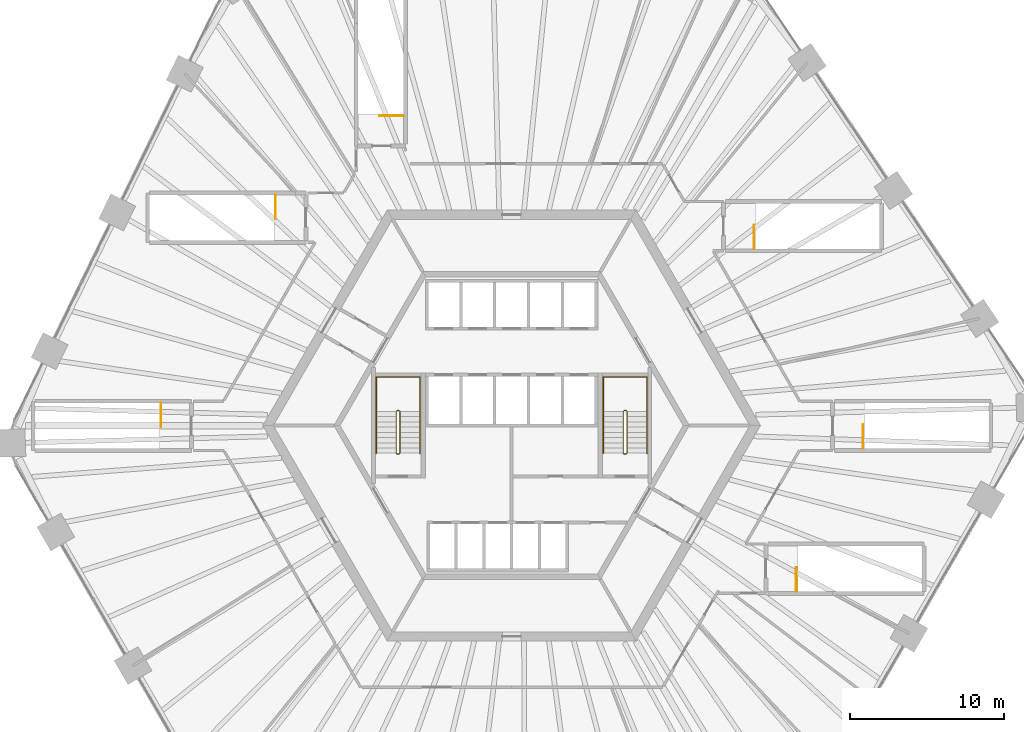
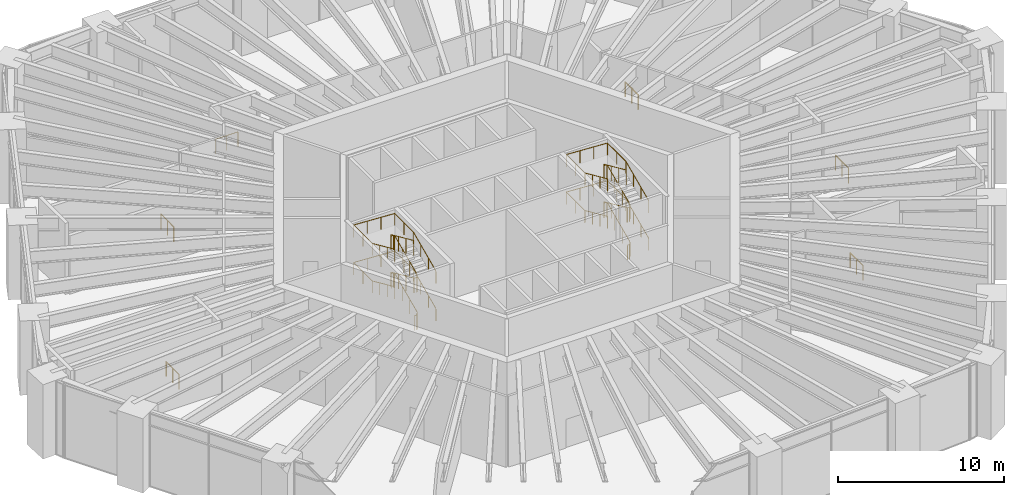
# One storey, part 25 of 25: 12 railings.
"""IFC4 building model written with IfcOpenShell, lengths in metres."""

import ifcopenshell
import ifcopenshell.guid

model = None  # the IFC model being written
_history = None  # IfcOwnerHistory: only IFC2X3 demands one
_inside = {}  # id of a spatial element -> (the spatial element, [elements in it])
_under = {}  # id of a project, library or spatial element -> (it, [spatial elements below it])
_declared = {}  # id of a project -> (the project, [libraries it declares])
_typed = {}  # id of a type object -> (the type object, [elements of that type])
_made_of = {}  # id of a material, layer set ... -> (it, [elements and type objects made of it])


def new_model(schema):
    """Start an empty IFC model of exactly this schema.

    Asked for "IFC4X3", IfcOpenShell would pick the latest addendum, in which some entities
    have other attributes; the version numbers below select the first issue.
    IFC2X3 requires an IfcOwnerHistory on every rooted entity: one is made here for all.
    """
    global model, _history
    if schema == "IFC4X3":
        model = ifcopenshell.file(schema_version=(4, 3, 0, 0))
    else:
        model = ifcopenshell.file(schema=schema)
    _inside.clear()
    _under.clear()
    _declared.clear()
    _typed.clear()
    _made_of.clear()
    _history = None
    if model.schema == "IFC2X3":
        org = make("IfcOrganization", Name="unknown")
        user = make(
            "IfcPersonAndOrganization",
            ThePerson=make("IfcPerson", FamilyName="unknown"),
            TheOrganization=org,
        )
        app = make(
            "IfcApplication",
            ApplicationDeveloper=org,
            Version="unknown",
            ApplicationFullName="unknown",
            ApplicationIdentifier="unknown",
        )
        _history = make(
            "IfcOwnerHistory",
            OwningUser=user,
            OwningApplication=app,
            ChangeAction="ADDED",
            CreationDate=0,
        )
    return model


def make(cls, **values):
    """One entity of the class cls with the attributes given. An attribute that is None is left unset."""
    return model.create_entity(
        cls, **{name: value for name, value in values.items() if value is not None}
    )


def rooted(cls, **values):
    """An entity with a GlobalId (a new one), such as an element, a storey or a relation."""
    return make(cls, GlobalId=ifcopenshell.guid.new(), OwnerHistory=_history, **values)


def si_unit(unit_type, name, prefix=None):
    """IfcSIUnit, for example si_unit("LENGTHUNIT", "METRE", prefix="MILLI")."""
    return make("IfcSIUnit", UnitType=unit_type, Prefix=prefix, Name=name)


def assignment(units):
    """IfcUnitAssignment: the units of a project."""
    return None if units is None else make("IfcUnitAssignment", Units=units)


def point(xyz):
    """IfcCartesianPoint."""
    return None if xyz is None else make("IfcCartesianPoint", Coordinates=xyz)


def direction(xyz):
    """IfcDirection."""
    return None if xyz is None else make("IfcDirection", DirectionRatios=xyz)


def frame(location, z_axis=None, x_axis=None):
    """IfcAxis2Placement3D, a coordinate frame: its origin and axes. An axis left out is left unset."""
    return make(
        "IfcAxis2Placement3D",
        Location=point(location),
        Axis=direction(z_axis),
        RefDirection=direction(x_axis),
    )


def frame_2d(location, x_axis=None):
    """IfcAxis2Placement2D, a coordinate frame in the plane: its origin and x axis."""
    return make(
        "IfcAxis2Placement2D", Location=point(location), RefDirection=direction(x_axis)
    )


def origin():
    """The frame at (0, 0, 0) with its axes left unset."""
    return frame((0.0, 0.0, 0.0))


def origin_2d():
    """The frame at (0, 0) in the plane with its x axis left unset."""
    return frame_2d((0.0, 0.0))


def place(relative_to, where):
    """IfcLocalPlacement: puts the frame where relative to a parent placement (None: the world)."""
    return make(
        "IfcLocalPlacement", PlacementRelTo=relative_to, RelativePlacement=where
    )


def context(
    kind, dimensions, precision=None, world=None, true_north=None, identifier=None
):
    """IfcGeometricRepresentationContext, for example the 3D "Model" context."""
    return make(
        "IfcGeometricRepresentationContext",
        ContextIdentifier=identifier,
        ContextType=kind,
        CoordinateSpaceDimension=dimensions,
        Precision=precision,
        WorldCoordinateSystem=world,
        TrueNorth=true_north,
    )


def subcontext(parent, identifier, kind, view, scale=None):
    """IfcGeometricRepresentationSubContext, for example "Body" below "Model"."""
    return make(
        "IfcGeometricRepresentationSubContext",
        ContextIdentifier=identifier,
        ContextType=kind,
        ParentContext=parent,
        TargetScale=scale,
        TargetView=view,
    )


def project(units=None, contexts=None):
    """IfcProject with its units and contexts."""
    return rooted(
        "IfcProject",
        Name="project",
        RepresentationContexts=contexts,
        UnitsInContext=assignment(units),
    )


def spatial(cls, under=None, at=None, **own):
    """A site, building, storey or space (cls), placed at a placement, below another one or the project."""
    s = rooted(cls, ObjectPlacement=at, **own)
    if under is not None:
        _under.setdefault(under.id(), (under, []))[1].append(s)
    return s


def profile(cls, at=None, kind="AREA", **sizes):
    """A parametric profile (cls). Its sizes go by their IFC names, for example OverallWidth=200.0."""
    return make(cls, ProfileType=kind, Position=at, **sizes)


def circle(**sizes):
    """IfcCircleProfileDef."""
    return profile("IfcCircleProfileDef", **sizes)


def extrude(swept, where, along, depth):
    """IfcExtrudedAreaSolid: the profile swept, set in the frame where, extruded along a direction by depth."""
    return make(
        "IfcExtrudedAreaSolid",
        SweptArea=swept,
        Position=where,
        ExtrudedDirection=direction(along),
        Depth=depth,
    )


def shape(context_of_items, identifier, shape_type, items):
    """IfcShapeRepresentation: the items that make up one representation, for example the "Body"."""
    return make(
        "IfcShapeRepresentation",
        ContextOfItems=context_of_items,
        RepresentationIdentifier=identifier,
        RepresentationType=shape_type,
        Items=items,
    )


def material(Name=None, Category=None):
    """IfcMaterial."""
    return make("IfcMaterial", Name=Name, Category=Category)


def made_of(thing, what):
    """Note that an element or type object is made of a material, layer set ...; save() writes the relation."""
    if what is not None:
        _made_of.setdefault(what.id(), (what, []))[1].append(thing)
    return thing


def type_object(cls, material=None, **own):
    """A type object (cls), such as IfcWallType, which elements share."""
    return made_of(rooted(cls, **own), material)


def element(
    cls,
    number,
    at=None,
    inside=None,
    cuts=None,
    type_object=None,
    material=None,
    context=None,
    identifier="Body",
    shape_type=None,
    held_by="IfcProductDefinitionShape",
    body=None,
    shapes=None,
    **own,
):
    """One element of the class cls, such as IfcWall. Its Tag is "e" and its number.

    at: its placement. inside: the storey or other place that contains it. cuts: it is an
    opening in that element (IfcRelVoidsElement). A single representation is given by context,
    identifier, shape_type and body (its items); several are given by shapes. held_by: the class
    of the entity that holds the representations. save() writes the other relations.
    """
    e = rooted(cls, Tag="e%d" % number, ObjectPlacement=at, **own)
    if body is not None:
        shapes = [shape(context, identifier, shape_type, body)]
    if shapes is not None:
        e.Representation = make(held_by, Representations=shapes)
    if inside is not None:
        _inside.setdefault(inside.id(), (inside, []))[1].append(e)
    if cuts is not None:
        rooted(
            "IfcRelVoidsElement", RelatingBuildingElement=cuts, RelatedOpeningElement=e
        )
    if type_object is not None:
        _typed.setdefault(type_object.id(), (type_object, []))[1].append(e)
    return made_of(e, material)


def aggregate(whole, parts):
    """IfcRelAggregates: a whole, such as a stair, and the parts it consists of."""
    return rooted("IfcRelAggregates", RelatingObject=whole, RelatedObjects=parts)


def save(model, path):
    """Write the relations noted so far, then the file.

    IfcRelAggregates (storeys below a building ...), IfcRelContainedInSpatialStructure (elements
    in a storey), IfcRelDefinesByType, IfcRelAssociatesMaterial and IfcRelDeclares: one each for
    every whole, place, type object, material and project.
    """
    for whole, parts in _under.values():
        aggregate(whole, parts)
    for where, things in _inside.values():
        rooted(
            "IfcRelContainedInSpatialStructure",
            RelatedElements=things,
            RelatingStructure=where,
        )
    for kind, things in _typed.values():
        rooted("IfcRelDefinesByType", RelatedObjects=things, RelatingType=kind)
    for what, things in _made_of.values():
        rooted("IfcRelAssociatesMaterial", RelatedObjects=things, RelatingMaterial=what)
    for by, libraries in _declared.values():
        rooted("IfcRelDeclares", RelatingContext=by, RelatedDefinitions=libraries)
    model.write(path)


model = new_model("IFC4")

# Units and contexts
model_context = context("Model", 3, precision=1e-05, world=origin(), true_north=direction((0.0, 1.0)))
body_context = subcontext(model_context, "Body", "Model", "MODEL_VIEW")
ifc_project = project(units=[si_unit("LENGTHUNIT", "METRE"), si_unit("AREAUNIT", "SQUARE_METRE"), si_unit("VOLUMEUNIT", "CUBIC_METRE"), si_unit("PLANEANGLEUNIT", "RADIAN"), si_unit("MASSUNIT", "GRAM", prefix="KILO")], contexts=[model_context])

# Site, building, storey
site_placement = place(None, origin())
site = spatial("IfcSite", under=ifc_project, at=site_placement, CompositionType="ELEMENT")
building_placement = place(site_placement, origin())
building = spatial("IfcBuilding", under=site, at=building_placement, Name="Tarnside Tower", CompositionType="ELEMENT")
storey_placement = place(building_placement, frame((0.0, 0.0, 26.0)))
storey = spatial("IfcBuildingStorey", under=building, at=storey_placement, Name="L04", CompositionType="ELEMENT", Elevation=26.0)

# Railings
ifc_material = material(Name="Stainless steel", Category="steel")
railing_type_1 = type_object("IfcRailingType", Name="Podium stair guard 1100", PredefinedType="GUARDRAIL", material=ifc_material)
railing_1_placement = place(storey_placement, frame((-7.0146484375, 20.1298828125, 0.0)))
element("IfcRailing", 1, at=railing_1_placement, inside=storey, type_object=railing_type_1, Name="L04 PS1 top well guard 1", PredefinedType="GUARDRAIL", context=body_context, shape_type="SweptSolid", body=[
    extrude(circle(Radius=0.02392578125, at=origin_2d()), frame((0.0, 0.0, 1.076171875), z_axis=(-1.0, 0.0, 0.0), x_axis=(0.0, -1.0, 0.0)), (0.0, 0.0, 1.0), 1.550048828125),
    extrude(circle(Radius=0.02099609375, at=origin_2d()), origin(), (0.0, 0.0, 1.0), 1.052001953125),
    extrude(circle(Radius=0.02099609375, at=origin_2d()), frame((-0.77490234375, 0.0, 0.0)), (0.0, 0.0, 1.0), 1.052001953125),
    extrude(circle(Radius=0.02099609375, at=origin_2d()), frame((-1.550048828125, 0.0, 0.0)), (0.0, 0.0, 1.0), 1.052001953125),
])
railing_2_placement = place(storey_placement, frame((-22.780029296875, 1.449951171875, 0.0)))
element("IfcRailing", 2, at=railing_2_placement, inside=storey, type_object=railing_type_1, Name="L04 PS2 top well guard 1", PredefinedType="GUARDRAIL", context=body_context, shape_type="SweptSolid", body=[
    extrude(circle(Radius=0.02392578125, at=origin_2d()), frame((0.0, 0.0, 1.076171875), z_axis=(0.0, -1.0, 0.0), x_axis=(1.0, 0.0, 0.0)), (0.0, 0.0, 1.0), 1.550048828125),
    extrude(circle(Radius=0.02099609375, at=origin_2d()), origin(), (0.0, 0.0, 1.0), 1.052001953125),
    extrude(circle(Radius=0.02099609375, at=origin_2d()), frame((0.0, -0.77490234375, 0.0)), (0.0, 0.0, 1.0), 1.052001953125),
    extrude(circle(Radius=0.02099609375, at=origin_2d()), frame((0.0, -1.550048828125, 0.0)), (0.0, 0.0, 1.0), 1.052001953125),
])
railing_3_placement = place(storey_placement, frame((22.830078125, -1.5, 0.0)))
element("IfcRailing", 3, at=railing_3_placement, inside=storey, type_object=railing_type_1, Name="L04 PS3 top well guard 1", PredefinedType="GUARDRAIL", context=body_context, shape_type="SweptSolid", body=[
    extrude(circle(Radius=0.02392578125, at=origin_2d()), frame((0.0, 0.0, 1.076171875), z_axis=(0.0, 1.0, 0.0), x_axis=(-1.0, 0.0, 0.0)), (0.0, 0.0, 1.0), 1.550048828125),
    extrude(circle(Radius=0.02099609375, at=origin_2d()), origin(), (0.0, 0.0, 1.0), 1.052001953125),
    extrude(circle(Radius=0.02099609375, at=origin_2d()), frame((0.0, 0.77490234375, 0.0)), (0.0, 0.0, 1.0), 1.052001953125),
    extrude(circle(Radius=0.02099609375, at=origin_2d()), frame((0.0, 1.550048828125, 0.0)), (0.0, 0.0, 1.0), 1.052001953125),
])
for number, where, name in (
    (4, (15.739990234375, 11.47509765625, 0.0), "L04 PS4 top well guard 1"),
    (5, (18.489990234375, -10.77490234375, 0.0), "L04 PS5 top well guard 1"),
):
    element("IfcRailing", number, at=place(storey_placement, frame(where)), inside=storey, type_object=railing_type_1, Name=name, PredefinedType="GUARDRAIL", context=body_context, shape_type="SweptSolid", body=[
        extrude(circle(Radius=0.02392578125, at=origin_2d()), frame((0.0, 0.0, 1.076171875), z_axis=(0.0, 1.0, 0.0), x_axis=(-1.0, 0.0, 0.0)), (0.0, 0.0, 1.0), 1.5498046875),
        extrude(circle(Radius=0.02099609375, at=origin_2d()), origin(), (0.0, 0.0, 1.0), 1.052001953125),
        extrude(circle(Radius=0.02099609375, at=origin_2d()), frame((0.0, 0.77490234375, 0.0)), (0.0, 0.0, 1.0), 1.052001953125),
        extrude(circle(Radius=0.02099609375, at=origin_2d()), frame((0.0, 1.5498046875, 0.0)), (0.0, 0.0, 1.0), 1.052001953125),
    ])
railing_4_placement = place(storey_placement, frame((-15.340087890625, 14.97509765625, 0.0)))
element("IfcRailing", 6, at=railing_4_placement, inside=storey, type_object=railing_type_1, Name="L04 PS6 top well guard 1", PredefinedType="GUARDRAIL", context=body_context, shape_type="SweptSolid", body=[
    extrude(circle(Radius=0.02392578125, at=origin_2d()), frame((0.0, 0.0, 1.076171875), z_axis=(0.0, -1.0, 0.0), x_axis=(1.0, 0.0, 0.0)), (0.0, 0.0, 1.0), 1.550048828125),
    extrude(circle(Radius=0.02099609375, at=origin_2d()), origin(), (0.0, 0.0, 1.0), 1.052001953125),
    extrude(circle(Radius=0.02099609375, at=origin_2d()), frame((0.0, -0.77490234375, 0.0)), (0.0, 0.0, 1.0), 1.052001953125),
    extrude(circle(Radius=0.02099609375, at=origin_2d()), frame((0.0, -1.550048828125, 0.0)), (0.0, 0.0, 1.0), 1.052001953125),
])
railing_type_2 = type_object("IfcRailingType", Name="Stair guard 1100", PredefinedType="GUARDRAIL", material=ifc_material)
railing_5_placement = place(storey_placement, frame((7.300048828125, -1.85009765625, 0.0)))
element("IfcRailing", 7, at=railing_5_placement, inside=storey, type_object=railing_type_2, Name="L04 ST1 stair guard 1", PredefinedType="GUARDRAIL", context=body_context, shape_type="SweptSolid", body=[
    extrude(circle(Radius=0.02392578125, at=origin_2d()), frame((0.0, 0.0, 1.076171875), z_axis=(1.0, 0.0, 0.0), x_axis=(0.0, 1.0, 0.0)), (0.0, 0.0, 1.0), 0.14990234375),
    extrude(circle(Radius=0.02392578125, at=origin_2d()), frame((0.14990234375, 0.0, 1.076171875), z_axis=(0.297155754911, 0.297155754911, 0.90741220768), x_axis=(-0.707106781187, 0.707106781187, 0.0)), (0.0, 0.0, 1.0), 0.16845703125),
    extrude(circle(Radius=0.02392578125, at=origin_2d()), frame((0.199951171875, 0.050048828125, 1.22900390625), z_axis=(0.0, 0.912149621895, 0.409857374312), x_axis=(-1.0, 0.0, 0.0)), (0.0, 0.0, 1.0), 2.98193359375),
    extrude(circle(Radius=0.02392578125, at=origin_2d()), frame((0.199951171875, 2.77001953125, 2.451171875), z_axis=(-0.707106781187, 0.707106781187, 0.0), x_axis=(-0.707106781187, -0.707106781187, 0.0)), (0.0, 0.0, 1.0), 0.07080078125),
    extrude(circle(Radius=0.02392578125, at=origin_2d()), frame((0.14990234375, 2.820068359375, 2.451171875), z_axis=(-1.0, 0.0, 0.0), x_axis=(0.0, -1.0, 0.0)), (0.0, 0.0, 1.0), 0.14990234375),
    extrude(circle(Radius=0.02392578125, at=origin_2d()), frame((0.0, 2.820068359375, 2.451171875), z_axis=(-0.297155754911, -0.297155754911, 0.90741220768), x_axis=(0.707106781187, -0.707106781187, 0.0)), (0.0, 0.0, 1.0), 0.16845703125),
    extrude(circle(Radius=0.02392578125, at=origin_2d()), frame((-0.050048828125, 2.77001953125, 2.60400390625), z_axis=(0.0, -0.912149621895, 0.409857374312), x_axis=(1.0, 0.0, 0.0)), (0.0, 0.0, 1.0), 2.98193359375),
    extrude(circle(Radius=0.02392578125, at=origin_2d()), frame((-0.050048828125, 0.050048828125, 3.826171875), z_axis=(0.707106781187, -0.707106781187, 0.0), x_axis=(0.707106781187, 0.707106781187, 0.0)), (0.0, 0.0, 1.0), 0.07080078125),
    extrude(circle(Radius=0.02392578125, at=origin_2d()), frame((0.0, 0.0, 3.826171875), z_axis=(1.0, 0.0, 0.0), x_axis=(0.0, 1.0, 0.0)), (0.0, 0.0, 1.0), 0.14990234375),
    extrude(circle(Radius=0.02392578125, at=origin_2d()), frame((0.14990234375, 0.0, 3.826171875), z_axis=(0.297155754911, 0.297155754911, 0.90741220768), x_axis=(-0.707106781187, 0.707106781187, 0.0)), (0.0, 0.0, 1.0), 0.16845703125),
    extrude(circle(Radius=0.02392578125, at=origin_2d()), frame((0.199951171875, 0.050048828125, 3.97900390625), z_axis=(0.0, 0.912149621895, 0.409857374312), x_axis=(-1.0, 0.0, 0.0)), (0.0, 0.0, 1.0), 2.98193359375),
    extrude(circle(Radius=0.02392578125, at=origin_2d()), frame((0.199951171875, 2.77001953125, 5.201171875), z_axis=(-0.707106781187, 0.707106781187, 0.0), x_axis=(-0.707106781187, -0.707106781187, 0.0)), (0.0, 0.0, 1.0), 0.07080078125),
    extrude(circle(Radius=0.02392578125, at=origin_2d()), frame((0.14990234375, 2.820068359375, 5.201171875), z_axis=(-1.0, 0.0, 0.0), x_axis=(0.0, -1.0, 0.0)), (0.0, 0.0, 1.0), 0.14990234375),
    extrude(circle(Radius=0.02392578125, at=origin_2d()), frame((0.0, 2.820068359375, 5.201171875), z_axis=(-0.297155754911, -0.297155754911, 0.90741220768), x_axis=(0.707106781187, -0.707106781187, 0.0)), (0.0, 0.0, 1.0), 0.16845703125),
    extrude(circle(Radius=0.02392578125, at=origin_2d()), frame((-0.050048828125, 2.77001953125, 5.35400390625), z_axis=(0.0, -0.912149621895, 0.409857374312), x_axis=(1.0, 0.0, 0.0)), (0.0, 0.0, 1.0), 2.98193359375),
    extrude(circle(Radius=0.02099609375, at=origin_2d()), origin(), (0.0, 0.0, 1.0), 1.052001953125),
    extrude(circle(Radius=0.02099609375, at=origin_2d()), frame((0.14990234375, 0.0, 0.0)), (0.0, 0.0, 1.0), 1.052001953125),
    extrude(circle(Radius=0.02099609375, at=origin_2d()), frame((0.199951171875, 0.050048828125, 0.15283203125)), (0.0, 0.0, 1.0), 1.052001953125),
    extrude(circle(Radius=0.02099609375, at=origin_2d()), frame((0.199951171875, 0.956787109375, 0.560302734375)), (0.0, 0.0, 1.0), 1.052001953125),
    extrude(circle(Radius=0.02099609375, at=origin_2d()), frame((0.199951171875, 1.86328125, 0.967529296875)), (0.0, 0.0, 1.0), 1.052001953125),
    extrude(circle(Radius=0.02099609375, at=origin_2d()), frame((0.199951171875, 2.77001953125, 1.375)), (0.0, 0.0, 1.0), 1.052001953125),
    extrude(circle(Radius=0.02099609375, at=origin_2d()), frame((0.14990234375, 2.820068359375, 1.375)), (0.0, 0.0, 1.0), 1.052001953125),
    extrude(circle(Radius=0.02099609375, at=origin_2d()), frame((0.0, 2.820068359375, 1.375)), (0.0, 0.0, 1.0), 1.052001953125),
    extrude(circle(Radius=0.02099609375, at=origin_2d()), frame((-0.050048828125, 2.77001953125, 1.52783203125)), (0.0, 0.0, 1.0), 1.052001953125),
    extrude(circle(Radius=0.02099609375, at=origin_2d()), frame((-0.050048828125, 1.86328125, 1.935302734375)), (0.0, 0.0, 1.0), 1.052001953125),
    extrude(circle(Radius=0.02099609375, at=origin_2d()), frame((-0.050048828125, 0.956787109375, 2.342529296875)), (0.0, 0.0, 1.0), 1.052001953125),
    extrude(circle(Radius=0.02099609375, at=origin_2d()), frame((-0.050048828125, 0.050048828125, 2.75)), (0.0, 0.0, 1.0), 1.052001953125),
    extrude(circle(Radius=0.02099609375, at=origin_2d()), frame((0.0, 0.0, 2.75)), (0.0, 0.0, 1.0), 1.052001953125),
    extrude(circle(Radius=0.02099609375, at=origin_2d()), frame((0.14990234375, 0.0, 2.75)), (0.0, 0.0, 1.0), 1.052001953125),
    extrude(circle(Radius=0.02099609375, at=origin_2d()), frame((0.199951171875, 0.050048828125, 2.90283203125)), (0.0, 0.0, 1.0), 1.052001953125),
    extrude(circle(Radius=0.02099609375, at=origin_2d()), frame((0.199951171875, 0.956787109375, 3.310302734375)), (0.0, 0.0, 1.0), 1.052001953125),
    extrude(circle(Radius=0.02099609375, at=origin_2d()), frame((0.199951171875, 1.86328125, 3.717529296875)), (0.0, 0.0, 1.0), 1.052001953125),
    extrude(circle(Radius=0.02099609375, at=origin_2d()), frame((0.199951171875, 2.77001953125, 4.125)), (0.0, 0.0, 1.0), 1.052001953125),
    extrude(circle(Radius=0.02099609375, at=origin_2d()), frame((0.14990234375, 2.820068359375, 4.125)), (0.0, 0.0, 1.0), 1.052001953125),
    extrude(circle(Radius=0.02099609375, at=origin_2d()), frame((0.0, 2.820068359375, 4.125)), (0.0, 0.0, 1.0), 1.052001953125),
    extrude(circle(Radius=0.02099609375, at=origin_2d()), frame((-0.050048828125, 2.77001953125, 4.27783203125)), (0.0, 0.0, 1.0), 1.052001953125),
    extrude(circle(Radius=0.02099609375, at=origin_2d()), frame((-0.050048828125, 1.86328125, 4.685302734375)), (0.0, 0.0, 1.0), 1.052001953125),
    extrude(circle(Radius=0.02099609375, at=origin_2d()), frame((-0.050048828125, 0.956787109375, 5.092529296875)), (0.0, 0.0, 1.0), 1.052001953125),
    extrude(circle(Radius=0.02099609375, at=origin_2d()), frame((-0.050048828125, 0.050048828125, 5.5)), (0.0, 0.0, 1.0), 1.052001953125),
])
railing_6_placement = place(storey_placement, frame((-7.449951171875, -1.85009765625, 0.0)))
element("IfcRailing", 8, at=railing_6_placement, inside=storey, type_object=railing_type_2, Name="L04 ST2 stair guard 1", PredefinedType="GUARDRAIL", context=body_context, shape_type="SweptSolid", body=[
    extrude(circle(Radius=0.02392578125, at=origin_2d()), frame((0.0, 0.0, 1.076171875), z_axis=(1.0, 0.0, 0.0), x_axis=(0.0, 1.0, 0.0)), (0.0, 0.0, 1.0), 0.14990234375),
    extrude(circle(Radius=0.02392578125, at=origin_2d()), frame((0.14990234375, 0.0, 1.076171875), z_axis=(0.297155754911, 0.297155754911, 0.90741220768), x_axis=(-0.707106781187, 0.707106781187, 0.0)), (0.0, 0.0, 1.0), 0.16845703125),
    extrude(circle(Radius=0.02392578125, at=origin_2d()), frame((0.199951171875, 0.050048828125, 1.22900390625), z_axis=(0.0, 0.912149621895, 0.409857374312), x_axis=(-1.0, 0.0, 0.0)), (0.0, 0.0, 1.0), 2.98193359375),
    extrude(circle(Radius=0.02392578125, at=origin_2d()), frame((0.199951171875, 2.77001953125, 2.451171875), z_axis=(-0.707106781187, 0.707106781187, 0.0), x_axis=(-0.707106781187, -0.707106781187, 0.0)), (0.0, 0.0, 1.0), 0.07080078125),
    extrude(circle(Radius=0.02392578125, at=origin_2d()), frame((0.14990234375, 2.820068359375, 2.451171875), z_axis=(-1.0, 0.0, 0.0), x_axis=(0.0, -1.0, 0.0)), (0.0, 0.0, 1.0), 0.14990234375),
    extrude(circle(Radius=0.02392578125, at=origin_2d()), frame((0.0, 2.820068359375, 2.451171875), z_axis=(-0.297155754911, -0.297155754911, 0.90741220768), x_axis=(0.707106781187, -0.707106781187, 0.0)), (0.0, 0.0, 1.0), 0.16845703125),
    extrude(circle(Radius=0.02392578125, at=origin_2d()), frame((-0.050048828125, 2.77001953125, 2.60400390625), z_axis=(0.0, -0.912149621895, 0.409857374312), x_axis=(1.0, 0.0, 0.0)), (0.0, 0.0, 1.0), 2.98193359375),
    extrude(circle(Radius=0.02392578125, at=origin_2d()), frame((-0.050048828125, 0.050048828125, 3.826171875), z_axis=(0.707106781187, -0.707106781187, 0.0), x_axis=(0.707106781187, 0.707106781187, 0.0)), (0.0, 0.0, 1.0), 0.07080078125),
    extrude(circle(Radius=0.02392578125, at=origin_2d()), frame((0.0, 0.0, 3.826171875), z_axis=(1.0, 0.0, 0.0), x_axis=(0.0, 1.0, 0.0)), (0.0, 0.0, 1.0), 0.14990234375),
    extrude(circle(Radius=0.02392578125, at=origin_2d()), frame((0.14990234375, 0.0, 3.826171875), z_axis=(0.297155754911, 0.297155754911, 0.90741220768), x_axis=(-0.707106781187, 0.707106781187, 0.0)), (0.0, 0.0, 1.0), 0.16845703125),
    extrude(circle(Radius=0.02392578125, at=origin_2d()), frame((0.199951171875, 0.050048828125, 3.97900390625), z_axis=(0.0, 0.912149621895, 0.409857374312), x_axis=(-1.0, 0.0, 0.0)), (0.0, 0.0, 1.0), 2.98193359375),
    extrude(circle(Radius=0.02392578125, at=origin_2d()), frame((0.199951171875, 2.77001953125, 5.201171875), z_axis=(-0.707106781187, 0.707106781187, 0.0), x_axis=(-0.707106781187, -0.707106781187, 0.0)), (0.0, 0.0, 1.0), 0.07080078125),
    extrude(circle(Radius=0.02392578125, at=origin_2d()), frame((0.14990234375, 2.820068359375, 5.201171875), z_axis=(-1.0, 0.0, 0.0), x_axis=(0.0, -1.0, 0.0)), (0.0, 0.0, 1.0), 0.14990234375),
    extrude(circle(Radius=0.02392578125, at=origin_2d()), frame((0.0, 2.820068359375, 5.201171875), z_axis=(-0.297155754911, -0.297155754911, 0.90741220768), x_axis=(0.707106781187, -0.707106781187, 0.0)), (0.0, 0.0, 1.0), 0.16845703125),
    extrude(circle(Radius=0.02392578125, at=origin_2d()), frame((-0.050048828125, 2.77001953125, 5.35400390625), z_axis=(0.0, -0.912149621895, 0.409857374312), x_axis=(1.0, 0.0, 0.0)), (0.0, 0.0, 1.0), 2.98193359375),
    extrude(circle(Radius=0.02099609375, at=origin_2d()), origin(), (0.0, 0.0, 1.0), 1.052001953125),
    extrude(circle(Radius=0.02099609375, at=origin_2d()), frame((0.14990234375, 0.0, 0.0)), (0.0, 0.0, 1.0), 1.052001953125),
    extrude(circle(Radius=0.02099609375, at=origin_2d()), frame((0.199951171875, 0.050048828125, 0.15283203125)), (0.0, 0.0, 1.0), 1.052001953125),
    extrude(circle(Radius=0.02099609375, at=origin_2d()), frame((0.199951171875, 0.956787109375, 0.560302734375)), (0.0, 0.0, 1.0), 1.052001953125),
    extrude(circle(Radius=0.02099609375, at=origin_2d()), frame((0.199951171875, 1.86328125, 0.967529296875)), (0.0, 0.0, 1.0), 1.052001953125),
    extrude(circle(Radius=0.02099609375, at=origin_2d()), frame((0.199951171875, 2.77001953125, 1.375)), (0.0, 0.0, 1.0), 1.052001953125),
    extrude(circle(Radius=0.02099609375, at=origin_2d()), frame((0.14990234375, 2.820068359375, 1.375)), (0.0, 0.0, 1.0), 1.052001953125),
    extrude(circle(Radius=0.02099609375, at=origin_2d()), frame((0.0, 2.820068359375, 1.375)), (0.0, 0.0, 1.0), 1.052001953125),
    extrude(circle(Radius=0.02099609375, at=origin_2d()), frame((-0.050048828125, 2.77001953125, 1.52783203125)), (0.0, 0.0, 1.0), 1.052001953125),
    extrude(circle(Radius=0.02099609375, at=origin_2d()), frame((-0.050048828125, 1.86328125, 1.935302734375)), (0.0, 0.0, 1.0), 1.052001953125),
    extrude(circle(Radius=0.02099609375, at=origin_2d()), frame((-0.050048828125, 0.956787109375, 2.342529296875)), (0.0, 0.0, 1.0), 1.052001953125),
    extrude(circle(Radius=0.02099609375, at=origin_2d()), frame((-0.050048828125, 0.050048828125, 2.75)), (0.0, 0.0, 1.0), 1.052001953125),
    extrude(circle(Radius=0.02099609375, at=origin_2d()), frame((0.0, 0.0, 2.75)), (0.0, 0.0, 1.0), 1.052001953125),
    extrude(circle(Radius=0.02099609375, at=origin_2d()), frame((0.14990234375, 0.0, 2.75)), (0.0, 0.0, 1.0), 1.052001953125),
    extrude(circle(Radius=0.02099609375, at=origin_2d()), frame((0.199951171875, 0.050048828125, 2.90283203125)), (0.0, 0.0, 1.0), 1.052001953125),
    extrude(circle(Radius=0.02099609375, at=origin_2d()), frame((0.199951171875, 0.956787109375, 3.310302734375)), (0.0, 0.0, 1.0), 1.052001953125),
    extrude(circle(Radius=0.02099609375, at=origin_2d()), frame((0.199951171875, 1.86328125, 3.717529296875)), (0.0, 0.0, 1.0), 1.052001953125),
    extrude(circle(Radius=0.02099609375, at=origin_2d()), frame((0.199951171875, 2.77001953125, 4.125)), (0.0, 0.0, 1.0), 1.052001953125),
    extrude(circle(Radius=0.02099609375, at=origin_2d()), frame((0.14990234375, 2.820068359375, 4.125)), (0.0, 0.0, 1.0), 1.052001953125),
    extrude(circle(Radius=0.02099609375, at=origin_2d()), frame((0.0, 2.820068359375, 4.125)), (0.0, 0.0, 1.0), 1.052001953125),
    extrude(circle(Radius=0.02099609375, at=origin_2d()), frame((-0.050048828125, 2.77001953125, 4.27783203125)), (0.0, 0.0, 1.0), 1.052001953125),
    extrude(circle(Radius=0.02099609375, at=origin_2d()), frame((-0.050048828125, 1.86328125, 4.685302734375)), (0.0, 0.0, 1.0), 1.052001953125),
    extrude(circle(Radius=0.02099609375, at=origin_2d()), frame((-0.050048828125, 0.956787109375, 5.092529296875)), (0.0, 0.0, 1.0), 1.052001953125),
    extrude(circle(Radius=0.02099609375, at=origin_2d()), frame((-0.050048828125, 0.050048828125, 5.5)), (0.0, 0.0, 1.0), 1.052001953125),
])
railing_type_3 = type_object("IfcRailingType", Name="Stair handrail 900", PredefinedType="HANDRAIL", material=ifc_material)
railing_7_placement = place(storey_placement, frame((8.800048828125, -1.800048828125, 0.15283203125)))
element("IfcRailing", 9, at=railing_7_placement, inside=storey, type_object=railing_type_3, Name="L04 ST1 stair handrail 1", PredefinedType="HANDRAIL", context=body_context, shape_type="SweptSolid", body=[
    extrude(circle(Radius=0.02392578125, at=origin_2d()), frame((0.0, 0.0, 0.8857421875), z_axis=(0.0, 0.912149621895, 0.409857374312), x_axis=(-1.0, 0.0, 0.0)), (0.0, 0.0, 1.0), 2.98193359375),
    extrude(circle(Radius=0.02392578125, at=origin_2d()), frame((0.0, 2.719970703125, 2.10791015625), z_axis=(0.0, 1.0, 0.0), x_axis=(-1.0, 0.0, 0.0)), (0.0, 0.0, 1.0), 2.22998046875),
    extrude(circle(Radius=0.02392578125, at=origin_2d()), frame((0.0, 4.949951171875, 2.10791015625), z_axis=(-0.998565356737, 0.0, 0.053546506195), x_axis=(0.0, -1.0, 0.0)), (0.0, 0.0, 1.0), 2.854248046875),
    extrude(circle(Radius=0.02392578125, at=origin_2d()), frame((-2.85009765625, 4.949951171875, 2.2607421875), z_axis=(0.0, -1.0, 0.0), x_axis=(1.0, 0.0, 0.0)), (0.0, 0.0, 1.0), 2.22998046875),
    extrude(circle(Radius=0.02392578125, at=origin_2d()), frame((-2.85009765625, 2.719970703125, 2.2607421875), z_axis=(0.0, -0.912149621895, 0.409857374312), x_axis=(1.0, 0.0, 0.0)), (0.0, 0.0, 1.0), 2.98193359375),
    extrude(circle(Radius=0.02099609375, at=origin_2d()), origin(), (0.0, 0.0, 1.0), 0.86181640625),
    extrude(circle(Radius=0.02099609375, at=origin_2d()), frame((0.0, 0.90673828125, 0.407470703125)), (0.0, 0.0, 1.0), 0.86181640625),
    extrude(circle(Radius=0.02099609375, at=origin_2d()), frame((0.0, 1.813232421875, 0.814697265625)), (0.0, 0.0, 1.0), 0.86181640625),
    extrude(circle(Radius=0.02099609375, at=origin_2d()), frame((0.0, 2.719970703125, 1.22216796875)), (0.0, 0.0, 1.0), 0.86181640625),
    extrude(circle(Radius=0.02099609375, at=origin_2d()), frame((0.0, 3.8349609375, 1.22216796875)), (0.0, 0.0, 1.0), 0.86181640625),
    extrude(circle(Radius=0.02099609375, at=origin_2d()), frame((0.0, 4.949951171875, 1.22216796875)), (0.0, 0.0, 1.0), 0.86181640625),
    extrude(circle(Radius=0.02099609375, at=origin_2d()), frame((-0.949951171875, 4.949951171875, 1.273193359375)), (0.0, 0.0, 1.0), 0.86181640625),
    extrude(circle(Radius=0.02099609375, at=origin_2d()), frame((-1.900146484375, 4.949951171875, 1.323974609375)), (0.0, 0.0, 1.0), 0.86181640625),
    extrude(circle(Radius=0.02099609375, at=origin_2d()), frame((-2.85009765625, 4.949951171875, 1.375)), (0.0, 0.0, 1.0), 0.86181640625),
    extrude(circle(Radius=0.02099609375, at=origin_2d()), frame((-2.85009765625, 3.8349609375, 1.375)), (0.0, 0.0, 1.0), 0.86181640625),
    extrude(circle(Radius=0.02099609375, at=origin_2d()), frame((-2.85009765625, 2.719970703125, 1.375)), (0.0, 0.0, 1.0), 0.86181640625),
    extrude(circle(Radius=0.02099609375, at=origin_2d()), frame((-2.85009765625, 1.813232421875, 1.782470703125)), (0.0, 0.0, 1.0), 0.86181640625),
    extrude(circle(Radius=0.02099609375, at=origin_2d()), frame((-2.85009765625, 0.90673828125, 2.189697265625)), (0.0, 0.0, 1.0), 0.86181640625),
    extrude(circle(Radius=0.02099609375, at=origin_2d()), frame((-2.85009765625, 0.0, 2.59716796875)), (0.0, 0.0, 1.0), 0.86181640625),
])
railing_8_placement = place(storey_placement, frame((8.800048828125, -1.800048828125, 2.90283203125)))
element("IfcRailing", 10, at=railing_8_placement, inside=storey, type_object=railing_type_3, Name="L04 ST1 stair handrail 2", PredefinedType="HANDRAIL", context=body_context, shape_type="SweptSolid", body=[
    extrude(circle(Radius=0.02392578125, at=origin_2d()), frame((0.0, 0.0, 0.8857421875), z_axis=(0.0, 0.912149621895, 0.409857374312), x_axis=(-1.0, 0.0, 0.0)), (0.0, 0.0, 1.0), 2.98193359375),
    extrude(circle(Radius=0.02392578125, at=origin_2d()), frame((0.0, 2.719970703125, 2.10791015625), z_axis=(0.0, 1.0, 0.0), x_axis=(-1.0, 0.0, 0.0)), (0.0, 0.0, 1.0), 2.22998046875),
    extrude(circle(Radius=0.02392578125, at=origin_2d()), frame((0.0, 4.949951171875, 2.10791015625), z_axis=(-0.998565356737, 0.0, 0.053546506195), x_axis=(0.0, -1.0, 0.0)), (0.0, 0.0, 1.0), 2.854248046875),
    extrude(circle(Radius=0.02392578125, at=origin_2d()), frame((-2.85009765625, 4.949951171875, 2.2607421875), z_axis=(0.0, -1.0, 0.0), x_axis=(1.0, 0.0, 0.0)), (0.0, 0.0, 1.0), 2.22998046875),
    extrude(circle(Radius=0.02392578125, at=origin_2d()), frame((-2.85009765625, 2.719970703125, 2.2607421875), z_axis=(0.0, -0.912149621895, 0.409857374312), x_axis=(1.0, 0.0, 0.0)), (0.0, 0.0, 1.0), 2.98193359375),
    extrude(circle(Radius=0.02099609375, at=origin_2d()), origin(), (0.0, 0.0, 1.0), 0.86181640625),
    extrude(circle(Radius=0.02099609375, at=origin_2d()), frame((0.0, 0.90673828125, 0.407470703125)), (0.0, 0.0, 1.0), 0.86181640625),
    extrude(circle(Radius=0.02099609375, at=origin_2d()), frame((0.0, 1.813232421875, 0.814697265625)), (0.0, 0.0, 1.0), 0.86181640625),
    extrude(circle(Radius=0.02099609375, at=origin_2d()), frame((0.0, 2.719970703125, 1.22216796875)), (0.0, 0.0, 1.0), 0.86181640625),
    extrude(circle(Radius=0.02099609375, at=origin_2d()), frame((0.0, 3.8349609375, 1.22216796875)), (0.0, 0.0, 1.0), 0.86181640625),
    extrude(circle(Radius=0.02099609375, at=origin_2d()), frame((0.0, 4.949951171875, 1.22216796875)), (0.0, 0.0, 1.0), 0.86181640625),
    extrude(circle(Radius=0.02099609375, at=origin_2d()), frame((-0.949951171875, 4.949951171875, 1.273193359375)), (0.0, 0.0, 1.0), 0.86181640625),
    extrude(circle(Radius=0.02099609375, at=origin_2d()), frame((-1.900146484375, 4.949951171875, 1.323974609375)), (0.0, 0.0, 1.0), 0.86181640625),
    extrude(circle(Radius=0.02099609375, at=origin_2d()), frame((-2.85009765625, 4.949951171875, 1.375)), (0.0, 0.0, 1.0), 0.86181640625),
    extrude(circle(Radius=0.02099609375, at=origin_2d()), frame((-2.85009765625, 3.8349609375, 1.375)), (0.0, 0.0, 1.0), 0.86181640625),
    extrude(circle(Radius=0.02099609375, at=origin_2d()), frame((-2.85009765625, 2.719970703125, 1.375)), (0.0, 0.0, 1.0), 0.86181640625),
    extrude(circle(Radius=0.02099609375, at=origin_2d()), frame((-2.85009765625, 1.813232421875, 1.782470703125)), (0.0, 0.0, 1.0), 0.86181640625),
    extrude(circle(Radius=0.02099609375, at=origin_2d()), frame((-2.85009765625, 0.90673828125, 2.189697265625)), (0.0, 0.0, 1.0), 0.86181640625),
    extrude(circle(Radius=0.02099609375, at=origin_2d()), frame((-2.85009765625, 0.0, 2.59716796875)), (0.0, 0.0, 1.0), 0.86181640625),
])
railing_9_placement = place(storey_placement, frame((-5.949951171875, -1.800048828125, 0.15283203125)))
element("IfcRailing", 11, at=railing_9_placement, inside=storey, type_object=railing_type_3, Name="L04 ST2 stair handrail 1", PredefinedType="HANDRAIL", context=body_context, shape_type="SweptSolid", body=[
    extrude(circle(Radius=0.02392578125, at=origin_2d()), frame((0.0, 0.0, 0.8857421875), z_axis=(0.0, 0.912149621895, 0.409857374312), x_axis=(-1.0, 0.0, 0.0)), (0.0, 0.0, 1.0), 2.98193359375),
    extrude(circle(Radius=0.02392578125, at=origin_2d()), frame((0.0, 2.719970703125, 2.10791015625), z_axis=(0.0, 1.0, 0.0), x_axis=(-1.0, 0.0, 0.0)), (0.0, 0.0, 1.0), 2.22998046875),
    extrude(circle(Radius=0.02392578125, at=origin_2d()), frame((0.0, 4.949951171875, 2.10791015625), z_axis=(-0.998565356737, 0.0, 0.053546506195), x_axis=(0.0, -1.0, 0.0)), (0.0, 0.0, 1.0), 2.854248046875),
    extrude(circle(Radius=0.02392578125, at=origin_2d()), frame((-2.85009765625, 4.949951171875, 2.2607421875), z_axis=(0.0, -1.0, 0.0), x_axis=(1.0, 0.0, 0.0)), (0.0, 0.0, 1.0), 2.22998046875),
    extrude(circle(Radius=0.02392578125, at=origin_2d()), frame((-2.85009765625, 2.719970703125, 2.2607421875), z_axis=(0.0, -0.912149621895, 0.409857374312), x_axis=(1.0, 0.0, 0.0)), (0.0, 0.0, 1.0), 2.98193359375),
    extrude(circle(Radius=0.02099609375, at=origin_2d()), origin(), (0.0, 0.0, 1.0), 0.86181640625),
    extrude(circle(Radius=0.02099609375, at=origin_2d()), frame((0.0, 0.90673828125, 0.407470703125)), (0.0, 0.0, 1.0), 0.86181640625),
    extrude(circle(Radius=0.02099609375, at=origin_2d()), frame((0.0, 1.813232421875, 0.814697265625)), (0.0, 0.0, 1.0), 0.86181640625),
    extrude(circle(Radius=0.02099609375, at=origin_2d()), frame((0.0, 2.719970703125, 1.22216796875)), (0.0, 0.0, 1.0), 0.86181640625),
    extrude(circle(Radius=0.02099609375, at=origin_2d()), frame((0.0, 3.8349609375, 1.22216796875)), (0.0, 0.0, 1.0), 0.86181640625),
    extrude(circle(Radius=0.02099609375, at=origin_2d()), frame((0.0, 4.949951171875, 1.22216796875)), (0.0, 0.0, 1.0), 0.86181640625),
    extrude(circle(Radius=0.02099609375, at=origin_2d()), frame((-0.949951171875, 4.949951171875, 1.273193359375)), (0.0, 0.0, 1.0), 0.86181640625),
    extrude(circle(Radius=0.02099609375, at=origin_2d()), frame((-1.900146484375, 4.949951171875, 1.323974609375)), (0.0, 0.0, 1.0), 0.86181640625),
    extrude(circle(Radius=0.02099609375, at=origin_2d()), frame((-2.85009765625, 4.949951171875, 1.375)), (0.0, 0.0, 1.0), 0.86181640625),
    extrude(circle(Radius=0.02099609375, at=origin_2d()), frame((-2.85009765625, 3.8349609375, 1.375)), (0.0, 0.0, 1.0), 0.86181640625),
    extrude(circle(Radius=0.02099609375, at=origin_2d()), frame((-2.85009765625, 2.719970703125, 1.375)), (0.0, 0.0, 1.0), 0.86181640625),
    extrude(circle(Radius=0.02099609375, at=origin_2d()), frame((-2.85009765625, 1.813232421875, 1.782470703125)), (0.0, 0.0, 1.0), 0.86181640625),
    extrude(circle(Radius=0.02099609375, at=origin_2d()), frame((-2.85009765625, 0.90673828125, 2.189697265625)), (0.0, 0.0, 1.0), 0.86181640625),
    extrude(circle(Radius=0.02099609375, at=origin_2d()), frame((-2.85009765625, 0.0, 2.59716796875)), (0.0, 0.0, 1.0), 0.86181640625),
])
railing_10_placement = place(storey_placement, frame((-5.949951171875, -1.800048828125, 2.90283203125)))
element("IfcRailing", 12, at=railing_10_placement, inside=storey, type_object=railing_type_3, Name="L04 ST2 stair handrail 2", PredefinedType="HANDRAIL", context=body_context, shape_type="SweptSolid", body=[
    extrude(circle(Radius=0.02392578125, at=origin_2d()), frame((0.0, 0.0, 0.8857421875), z_axis=(0.0, 0.912149621895, 0.409857374312), x_axis=(-1.0, 0.0, 0.0)), (0.0, 0.0, 1.0), 2.98193359375),
    extrude(circle(Radius=0.02392578125, at=origin_2d()), frame((0.0, 2.719970703125, 2.10791015625), z_axis=(0.0, 1.0, 0.0), x_axis=(-1.0, 0.0, 0.0)), (0.0, 0.0, 1.0), 2.22998046875),
    extrude(circle(Radius=0.02392578125, at=origin_2d()), frame((0.0, 4.949951171875, 2.10791015625), z_axis=(-0.998565356737, 0.0, 0.053546506195), x_axis=(0.0, -1.0, 0.0)), (0.0, 0.0, 1.0), 2.854248046875),
    extrude(circle(Radius=0.02392578125, at=origin_2d()), frame((-2.85009765625, 4.949951171875, 2.2607421875), z_axis=(0.0, -1.0, 0.0), x_axis=(1.0, 0.0, 0.0)), (0.0, 0.0, 1.0), 2.22998046875),
    extrude(circle(Radius=0.02392578125, at=origin_2d()), frame((-2.85009765625, 2.719970703125, 2.2607421875), z_axis=(0.0, -0.912149621895, 0.409857374312), x_axis=(1.0, 0.0, 0.0)), (0.0, 0.0, 1.0), 2.98193359375),
    extrude(circle(Radius=0.02099609375, at=origin_2d()), origin(), (0.0, 0.0, 1.0), 0.86181640625),
    extrude(circle(Radius=0.02099609375, at=origin_2d()), frame((0.0, 0.90673828125, 0.407470703125)), (0.0, 0.0, 1.0), 0.86181640625),
    extrude(circle(Radius=0.02099609375, at=origin_2d()), frame((0.0, 1.813232421875, 0.814697265625)), (0.0, 0.0, 1.0), 0.86181640625),
    extrude(circle(Radius=0.02099609375, at=origin_2d()), frame((0.0, 2.719970703125, 1.22216796875)), (0.0, 0.0, 1.0), 0.86181640625),
    extrude(circle(Radius=0.02099609375, at=origin_2d()), frame((0.0, 3.8349609375, 1.22216796875)), (0.0, 0.0, 1.0), 0.86181640625),
    extrude(circle(Radius=0.02099609375, at=origin_2d()), frame((0.0, 4.949951171875, 1.22216796875)), (0.0, 0.0, 1.0), 0.86181640625),
    extrude(circle(Radius=0.02099609375, at=origin_2d()), frame((-0.949951171875, 4.949951171875, 1.273193359375)), (0.0, 0.0, 1.0), 0.86181640625),
    extrude(circle(Radius=0.02099609375, at=origin_2d()), frame((-1.900146484375, 4.949951171875, 1.323974609375)), (0.0, 0.0, 1.0), 0.86181640625),
    extrude(circle(Radius=0.02099609375, at=origin_2d()), frame((-2.85009765625, 4.949951171875, 1.375)), (0.0, 0.0, 1.0), 0.86181640625),
    extrude(circle(Radius=0.02099609375, at=origin_2d()), frame((-2.85009765625, 3.8349609375, 1.375)), (0.0, 0.0, 1.0), 0.86181640625),
    extrude(circle(Radius=0.02099609375, at=origin_2d()), frame((-2.85009765625, 2.719970703125, 1.375)), (0.0, 0.0, 1.0), 0.86181640625),
    extrude(circle(Radius=0.02099609375, at=origin_2d()), frame((-2.85009765625, 1.813232421875, 1.782470703125)), (0.0, 0.0, 1.0), 0.86181640625),
    extrude(circle(Radius=0.02099609375, at=origin_2d()), frame((-2.85009765625, 0.90673828125, 2.189697265625)), (0.0, 0.0, 1.0), 0.86181640625),
    extrude(circle(Radius=0.02099609375, at=origin_2d()), frame((-2.85009765625, 0.0, 2.59716796875)), (0.0, 0.0, 1.0), 0.86181640625),
])

save(model, "model.ifc")
